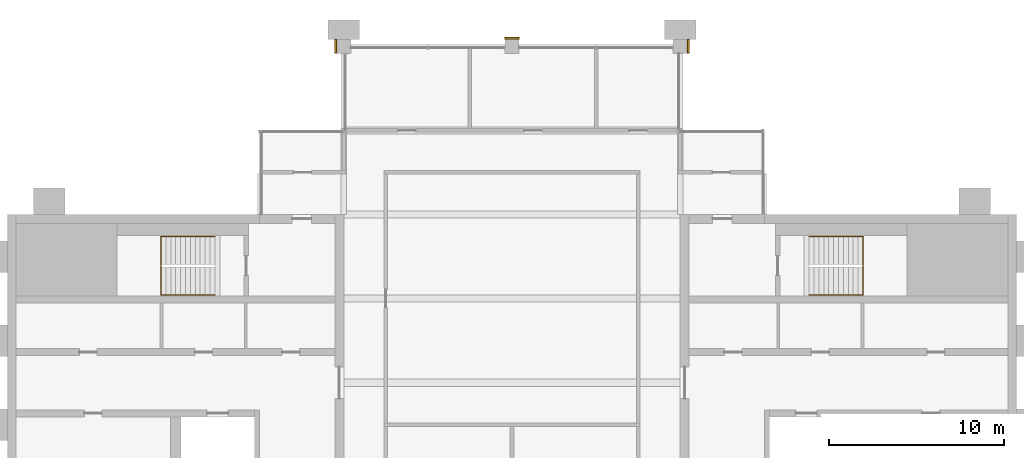
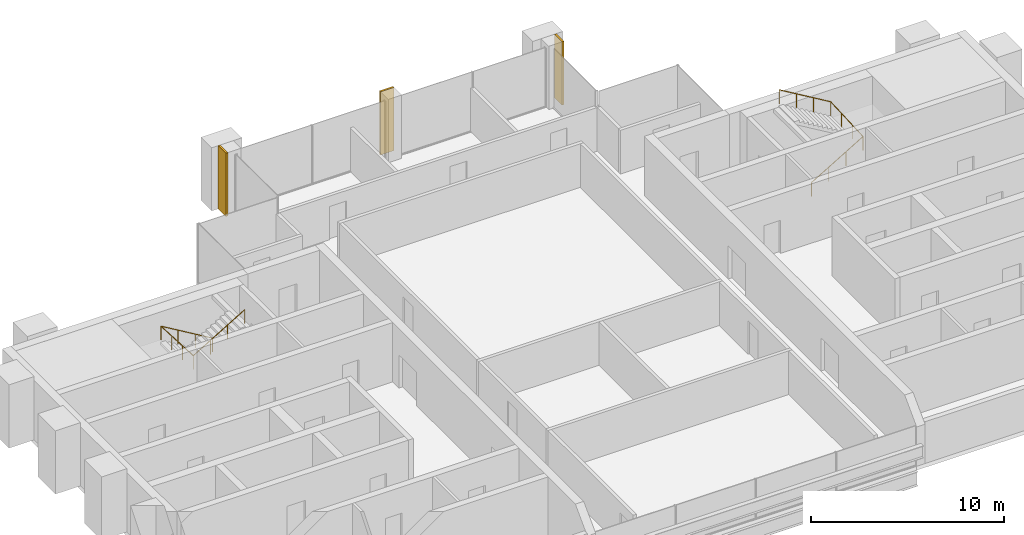
# One storey, part 12 of 12: 3 coverings, 2 railings.
"""IFC4 building model written with IfcOpenShell, lengths in metres."""

from ifc_helpers import new_model, si_unit, direction, frame, origin, origin_2d, place, context, subcontext, project, spatial, rectangle, circle, extrude, material, layer, layer_set, type_object, element, save


model = new_model("IFC4")

# Units and contexts
model_context = context("Model", 3, precision=1e-05, world=origin(), true_north=direction((0.0, 1.0)))
body_context = subcontext(model_context, "Body", "Model", "MODEL_VIEW")
ifc_project = project(units=[si_unit("LENGTHUNIT", "METRE"), si_unit("AREAUNIT", "SQUARE_METRE"), si_unit("VOLUMEUNIT", "CUBIC_METRE"), si_unit("PLANEANGLEUNIT", "RADIAN"), si_unit("MASSUNIT", "GRAM", prefix="KILO")], contexts=[model_context])

# Site, building, storey
site_placement = place(None, origin())
site = spatial("IfcSite", under=ifc_project, at=site_placement, CompositionType="ELEMENT")
building_placement = place(site_placement, origin())
building = spatial("IfcBuilding", under=site, at=building_placement, Name="Baori Bourse Tower", CompositionType="ELEMENT")
storey_placement = place(building_placement, frame((0.0, 0.0, 370.300048828125)))
storey = spatial("IfcBuildingStorey", under=building, at=storey_placement, Name="L83", CompositionType="ELEMENT", Elevation=370.300048828125)

# Railings
ifc_material_1 = material(Name="Powder-coated steel balustrade", Category="steel")
railing_type = type_object("IfcRailingType", Name="Core stair handrail", PredefinedType="HANDRAIL", material=ifc_material_1)
railing_1_placement = place(storey_placement, frame((11.85009765625, 37.14990234375, 0.16650390625)))
element("IfcRailing", 1, at=railing_1_placement, inside=storey, type_object=railing_type, Name="L83 ST2 stair handrail 1", PredefinedType="HANDRAIL", context=body_context, shape_type="SweptSolid", body=[
    extrude(circle(Radius=0.02392578125, at=origin_2d()), frame((0.0, 0.0, 0.8759765625), z_axis=(-0.85927862911, 0.0, 0.511507807912), x_axis=(0.0, -1.0, 0.0)), (0.0, 0.0, 1.0), 3.58447265625),
    extrude(circle(Radius=0.02392578125, at=origin_2d()), frame((-3.080078125, 0.0, 2.70947265625), z_axis=(0.0, -0.998766999029, 0.049643545903), x_axis=(1.0, 0.0, 0.0)), (0.0, 0.0, 1.0), 3.35400390625),
    extrude(circle(Radius=0.02392578125, at=origin_2d()), frame((-3.080078125, -3.349853515625, 2.8759765625), z_axis=(0.85927862911, 0.0, 0.511507807912), x_axis=(0.0, 1.0, 0.0)), (0.0, 0.0, 1.0), 3.58447265625),
    extrude(circle(Radius=0.02099609375, at=origin_2d()), origin(), (0.0, 0.0, 1.0), 0.851806640625),
    extrude(circle(Radius=0.02099609375, at=origin_2d()), frame((-1.026611328125, 0.0, 0.611083984375)), (0.0, 0.0, 1.0), 0.851806640625),
    extrude(circle(Radius=0.02099609375, at=origin_2d()), frame((-2.053466796875, 0.0, 1.222412109375)), (0.0, 0.0, 1.0), 0.851806640625),
    extrude(circle(Radius=0.02099609375, at=origin_2d()), frame((-3.080078125, 0.0, 1.83349609375)), (0.0, 0.0, 1.0), 0.851806640625),
    extrude(circle(Radius=0.02099609375, at=origin_2d()), frame((-3.080078125, -1.11669921875, 1.888916015625)), (0.0, 0.0, 1.0), 0.851806640625),
    extrude(circle(Radius=0.02099609375, at=origin_2d()), frame((-3.080078125, -2.233154296875, 1.944580078125)), (0.0, 0.0, 1.0), 0.851806640625),
    extrude(circle(Radius=0.02099609375, at=origin_2d()), frame((-3.080078125, -3.349853515625, 2.0)), (0.0, 0.0, 1.0), 0.851806640625),
    extrude(circle(Radius=0.02099609375, at=origin_2d()), frame((-2.053466796875, -3.349853515625, 2.611083984375)), (0.0, 0.0, 1.0), 0.851806640625),
    extrude(circle(Radius=0.02099609375, at=origin_2d()), frame((-1.026611328125, -3.349853515625, 3.222412109375)), (0.0, 0.0, 1.0), 0.851806640625),
    extrude(circle(Radius=0.02099609375, at=origin_2d()), frame((0.0, -3.349853515625, 3.83349609375)), (0.0, 0.0, 1.0), 0.851806640625),
])
railing_2_placement = place(storey_placement, frame((45.75, 33.800048828125, 0.16650390625)))
element("IfcRailing", 2, at=railing_2_placement, inside=storey, type_object=railing_type, Name="L83 ST4 stair handrail 1", PredefinedType="HANDRAIL", context=body_context, shape_type="SweptSolid", body=[
    extrude(circle(Radius=0.02392578125, at=origin_2d()), frame((0.0, 0.0, 0.8759765625), z_axis=(0.85927862911, 0.0, 0.511507807912), x_axis=(0.0, 1.0, 0.0)), (0.0, 0.0, 1.0), 3.58447265625),
    extrude(circle(Radius=0.02392578125, at=origin_2d()), frame((3.080078125, 0.0, 2.70947265625), z_axis=(0.0, 0.998766999029, 0.049643545903), x_axis=(-1.0, 0.0, 0.0)), (0.0, 0.0, 1.0), 3.35400390625),
    extrude(circle(Radius=0.02392578125, at=origin_2d()), frame((3.080078125, 3.349853515625, 2.8759765625), z_axis=(-0.85927862911, 0.0, 0.511507807912), x_axis=(0.0, -1.0, 0.0)), (0.0, 0.0, 1.0), 3.58447265625),
    extrude(circle(Radius=0.02099609375, at=origin_2d()), origin(), (0.0, 0.0, 1.0), 0.851806640625),
    extrude(circle(Radius=0.02099609375, at=origin_2d()), frame((1.026611328125, 0.0, 0.611083984375)), (0.0, 0.0, 1.0), 0.851806640625),
    extrude(circle(Radius=0.02099609375, at=origin_2d()), frame((2.053466796875, 0.0, 1.222412109375)), (0.0, 0.0, 1.0), 0.851806640625),
    extrude(circle(Radius=0.02099609375, at=origin_2d()), frame((3.080078125, 0.0, 1.83349609375)), (0.0, 0.0, 1.0), 0.851806640625),
    extrude(circle(Radius=0.02099609375, at=origin_2d()), frame((3.080078125, 1.11669921875, 1.888916015625)), (0.0, 0.0, 1.0), 0.851806640625),
    extrude(circle(Radius=0.02099609375, at=origin_2d()), frame((3.080078125, 2.233154296875, 1.944580078125)), (0.0, 0.0, 1.0), 0.851806640625),
    extrude(circle(Radius=0.02099609375, at=origin_2d()), frame((3.080078125, 3.349853515625, 2.0)), (0.0, 0.0, 1.0), 0.851806640625),
    extrude(circle(Radius=0.02099609375, at=origin_2d()), frame((2.053466796875, 3.349853515625, 2.611083984375)), (0.0, 0.0, 1.0), 0.851806640625),
    extrude(circle(Radius=0.02099609375, at=origin_2d()), frame((1.026611328125, 3.349853515625, 3.222412109375)), (0.0, 0.0, 1.0), 0.851806640625),
    extrude(circle(Radius=0.02099609375, at=origin_2d()), frame((0.0, 3.349853515625, 3.83349609375)), (0.0, 0.0, 1.0), 0.851806640625),
])

# Coverings
ifc_material_2 = material(Name="Face brick", Category="masonry")
ifc_layer = layer(ifc_material_2, 0.110107421875)
ifc_layer_set = layer_set([ifc_layer], Name="PC1 Brick pier facing")
covering_type = type_object("IfcCoveringType", Name="PC1 Brick pier facing", PredefinedType="CLADDING", material=ifc_layer_set)
covering_1_placement = place(storey_placement, frame((18.7451171875, 48.0, 0.0), z_axis=(0.0, 0.0, 1.0), x_axis=(1.0, 0.0, 0.0)))
element("IfcCovering", 3, at=covering_1_placement, inside=storey, type_object=covering_type, Name="Brick pier facing L83 1", PredefinedType="CLADDING", context=body_context, shape_type="SweptSolid", body=[
    extrude(rectangle(XDim=0.110107421875, YDim=0.800048828125, at=origin_2d()), origin(), (0.0, 0.0, 1.0), 4.0),
])
covering_2_placement = place(storey_placement, frame((28.800048828125, 48.455078125, 0.0), z_axis=(0.0, 0.0, 1.0), x_axis=(1.0, 0.0, 0.0)))
element("IfcCovering", 4, at=covering_2_placement, inside=storey, type_object=covering_type, Name="Brick pier facing L83 2", PredefinedType="CLADDING", context=body_context, shape_type="SweptSolid", body=[
    extrude(rectangle(XDim=0.800048828125, YDim=0.110107421875, at=origin_2d()), origin(), (0.0, 0.0, 1.0), 4.0),
])
covering_3_placement = place(storey_placement, frame((38.85498046875, 48.0, 0.0), z_axis=(0.0, 0.0, 1.0), x_axis=(1.0, 0.0, 0.0)))
element("IfcCovering", 5, at=covering_3_placement, inside=storey, type_object=covering_type, Name="Brick pier facing L83 3", PredefinedType="CLADDING", context=body_context, shape_type="SweptSolid", body=[
    extrude(rectangle(XDim=0.110107421875, YDim=0.800048828125, at=origin_2d()), origin(), (0.0, 0.0, 1.0), 4.0),
])

save(model, "model.ifc")
